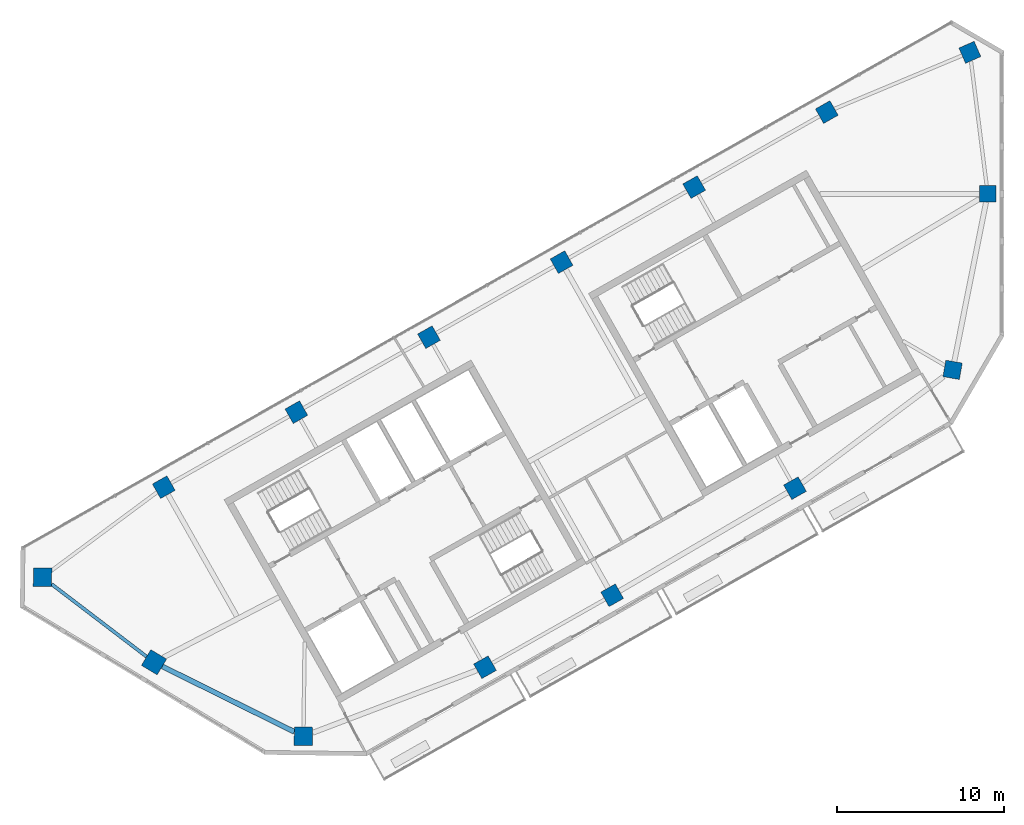
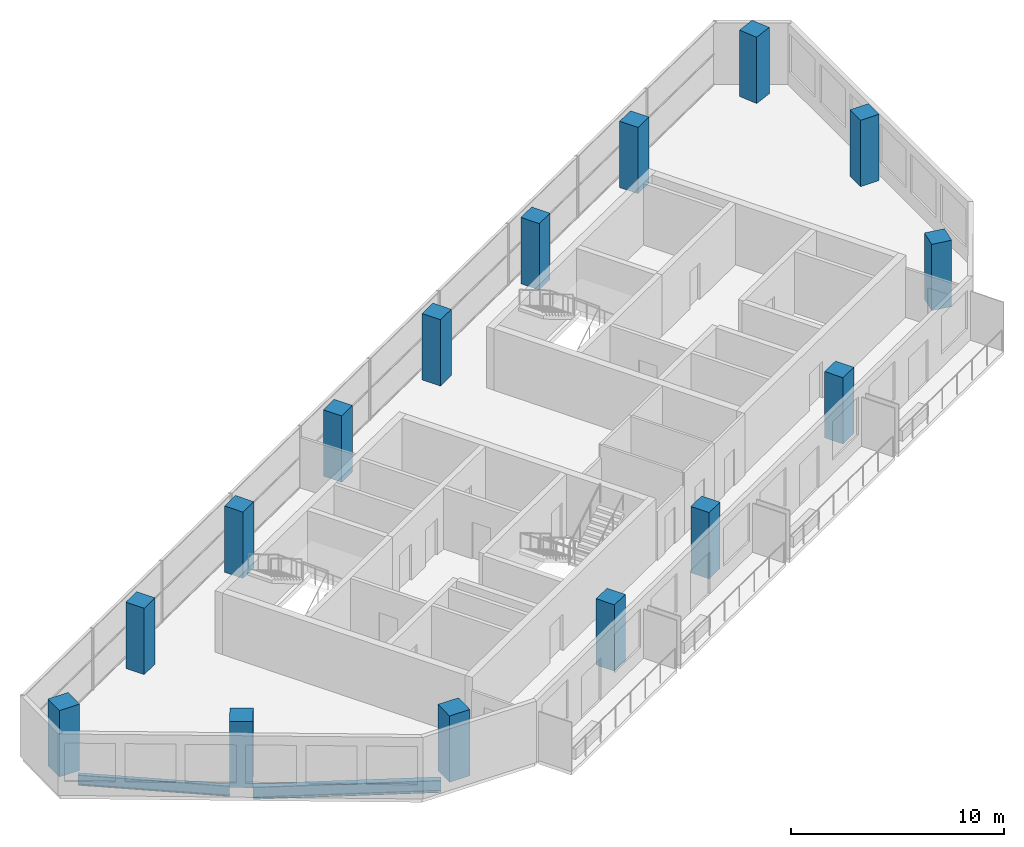
# One storey, part 1 of 10: 15 columns, 2 beams.
"""IFC4 building model written with IfcOpenShell, lengths in metres."""

from ifc_helpers import new_model, si_unit, direction, frame, origin, origin_2d, place, context, subcontext, project, spatial, rectangle, i_section, extrude, material, material_profile, profile_set, type_object, element, save


model = new_model("IFC4")

# Units and contexts
model_context = context("Model", 3, precision=1e-05, world=origin(), true_north=direction((0.0, 1.0)))
body_context = subcontext(model_context, "Body", "Model", "MODEL_VIEW")
ifc_project = project(units=[si_unit("LENGTHUNIT", "METRE"), si_unit("AREAUNIT", "SQUARE_METRE"), si_unit("VOLUMEUNIT", "CUBIC_METRE"), si_unit("PLANEANGLEUNIT", "RADIAN"), si_unit("MASSUNIT", "GRAM", prefix="KILO")], contexts=[model_context])

# Site, building, storey
site_placement = place(None, origin())
site = spatial("IfcSite", under=ifc_project, at=site_placement, CompositionType="ELEMENT")
building_placement = place(site_placement, origin())
building = spatial("IfcBuilding", under=site, at=building_placement, Name="Binnacle Exchange Tower", CompositionType="ELEMENT")
storey_placement = place(building_placement, frame((0.0, 0.0, 327.89990234375)))
storey = spatial("IfcBuildingStorey", under=building, at=storey_placement, Name="L74", CompositionType="ELEMENT", Elevation=327.89990234375)

# Columns
ifc_material_1 = material(Name="Concrete C50/60", Category="concrete")
ifc_material_profile_1 = material_profile(ifc_material_1, rectangle(XDim=1.0, YDim=1.0, at=origin_2d()), Name="Mega column 1000x1000 C50/60")
ifc_profile_set_1 = profile_set([ifc_material_profile_1], Name="Concrete C50/60")
column_type_1 = type_object("IfcColumnType", Name="Mega column 1000x1000 C50/60", PredefinedType="COLUMN", material=ifc_profile_set_1)
for number, where, z_axis, x_axis, name in (
    (1, (-10.4951171875, 64.901611328125, 0.0), (0.0, 0.0, 1.0), (-0.87035569594, -0.492423560103, 0.0), "S:COL:MC38:L74"),
    (2, (-18.44140625, 60.406005859375, 0.0), (0.0, 0.0, 1.0), (-0.87035569594, -0.492423560103, 0.0), "S:COL:MC29:L74"),
    (3, (-26.3876953125, 55.91015625, 0.0), (0.0, 0.0, 1.0), (-0.87035569594, -0.492423560103, 0.0), "S:COL:MC21:L74"),
    (4, (-34.333740234375, 51.414306640625, 0.0), (0.0, 0.0, 1.0), (-0.87035569594, -0.492423560103, 0.0), "S:COL:MC13:L74"),
    (5, (-42.280029296875, 46.918701171875, 0.0), (0.0, 0.0, 1.0), (-0.87035569594, -0.492423560103, 0.0), "S:COL:MC08:L74"),
    (6, (-50.226318359375, 42.4228515625, 0.0), (0.0, 0.0, 1.0), (-0.87035569594, -0.492423560103, 0.0), "S:COL:MC04:L74"),
    (7, (-30.9755859375, 31.63525390625, 0.0), (0.0, 0.0, 1.0), (0.87035569594, 0.492423560103, 0.0), "S:COL:MC07:L74"),
    (8, (-23.35595703125, 35.9462890625, 0.0), (0.0, 0.0, 1.0), (0.87035569594, 0.492423560103, 0.0), "S:COL:MC16:L74"),
    (9, (-2.955322265625, 49.45556640625, 0.0), (0.0, 0.0, 1.0), (-0.98522612636, 0.171258517854, 0.0), "S:COL:MC43:L74"),
    (10, (-0.85009765625, 60.0, 0.0), (0.0, 0.0, 1.0), (0.0, 1.0, 0.0), "S:COL:MC45:L74"),
    (11, (-1.920166015625, 68.4833984375, 0.0), (0.0, 0.0, 1.0), (-0.91471298536, -0.40410413808, 0.0), "S:COL:MC44:L74"),
    (12, (-12.39990234375, 42.36328125, 0.0), (0.0, 0.0, 1.0), (0.87035569594, 0.492423560103, 0.0), "S:COL:MC30:L74"),
):
    element("IfcColumn", number, at=place(storey_placement, frame(where, z_axis=z_axis, x_axis=x_axis)), inside=storey, type_object=column_type_1, Name=name, PredefinedType="COLUMN", context=body_context, shape_type="SweptSolid", body=[
        extrude(rectangle(XDim=1.0, YDim=1.0, at=origin_2d()), origin(), (0.0, 0.0, 1.0), 3.800048828125),
    ])
ifc_material_profile_2 = material_profile(ifc_material_1, rectangle(XDim=1.10009765625, YDim=1.10009765625, at=origin_2d()), Name="Mega column 1100x1100 C50/60")
ifc_profile_set_2 = profile_set([ifc_material_profile_2], Name="Concrete C50/60")
column_type_2 = type_object("IfcColumnType", Name="Mega column 1100x1100 C50/60", PredefinedType="COLUMN", material=ifc_profile_set_2)
for number, where, z_axis, x_axis, name in (
    (13, (-57.492919921875, 37.02734375, 0.0), (0.0, 0.0, 1.0), (-0.013089595571, -0.999914327574, 0.0), "S:COL:MC02:L74"),
    (14, (-50.81201171875, 31.930908203125, 0.0), (0.0, 0.0, 1.0), (0.857167300702, -0.51503807491, 0.0), "S:COL:MC01:L74"),
    (15, (-41.857666015625, 27.494873046875, 0.0), (0.0, 0.0, 1.0), (0.999914327574, -0.013089595571, 0.0), "S:COL:MC03:L74"),
):
    element("IfcColumn", number, at=place(storey_placement, frame(where, z_axis=z_axis, x_axis=x_axis)), inside=storey, type_object=column_type_2, Name=name, PredefinedType="COLUMN", context=body_context, shape_type="SweptSolid", body=[
        extrude(rectangle(XDim=1.10009765625, YDim=1.10009765625, at=origin_2d()), origin(), (0.0, 0.0, 1.0), 3.800048828125),
    ])

# Beams
ifc_material_2 = material(Name="Steel S355 (SHN355)", Category="steel")
ifc_material_profile_3 = material_profile(ifc_material_2, i_section(OverallWidth=0.199951171875, OverallDepth=0.60009765625, WebThickness=0.010986328125, FlangeThickness=0.01708984375, FilletRadius=0.02197265625, at=origin_2d()), Name="H 600x200x11x17")
ifc_profile_set_3 = profile_set([ifc_material_profile_3], Name="Steel S355 (SHN355)")
beam_type_1 = type_object("IfcBeamType", Name="Edge girder H 600x200x11x17 Steel S355 (SHN355)", PredefinedType="SPANDREL", material=ifc_profile_set_3)
beam_1_placement = place(storey_placement, frame((-56.948486328125, 36.612060546875, -0.579833984375), z_axis=(0.795078805768, -0.606506135681, 0.0), x_axis=(0.606506135681, 0.795078805768, 0.0)))
element("IfcBeam", 16, at=beam_1_placement, inside=storey, type_object=beam_type_1, Name="S:BM:edge:L74:004", PredefinedType="SPANDREL", context=body_context, shape_type="SweptSolid", body=[
    extrude(i_section(OverallWidth=0.199951171875, OverallDepth=0.60009765625, WebThickness=0.010986328125, FlangeThickness=0.01708984375, FilletRadius=0.02197265625, at=origin_2d()), origin(), (0.0, 0.0, 1.0), 7.164794921875),
])
ifc_material_profile_4 = material_profile(ifc_material_2, i_section(OverallWidth=0.300048828125, OverallDepth=0.699951171875, WebThickness=0.012939453125, FlangeThickness=0.02392578125, FilletRadius=0.028076171875, at=origin_2d()), Name="H 700x300x13x24")
ifc_profile_set_4 = profile_set([ifc_material_profile_4], Name="Steel S355 (SHN355)")
beam_type_2 = type_object("IfcBeamType", Name="Edge girder H 700x300x13x24 Steel S355 (SHN355)", PredefinedType="SPANDREL", material=ifc_profile_set_4)
beam_2_placement = place(storey_placement, frame((-50.3173828125, 31.685791015625, -0.6298828125), z_axis=(0.896057836822, -0.443937330115, 0.0), x_axis=(0.443937330115, 0.896057836822, 0.0)))
element("IfcBeam", 17, at=beam_2_placement, inside=storey, type_object=beam_type_2, Name="S:BM:edge:L74:006", PredefinedType="SPANDREL", context=body_context, shape_type="SweptSolid", body=[
    extrude(i_section(OverallWidth=0.300048828125, OverallDepth=0.699951171875, WebThickness=0.012939453125, FlangeThickness=0.02392578125, FilletRadius=0.028076171875, at=origin_2d()), origin(), (0.0, 0.0, 1.0), 8.8310546875),
])

save(model, "model.ifc")
